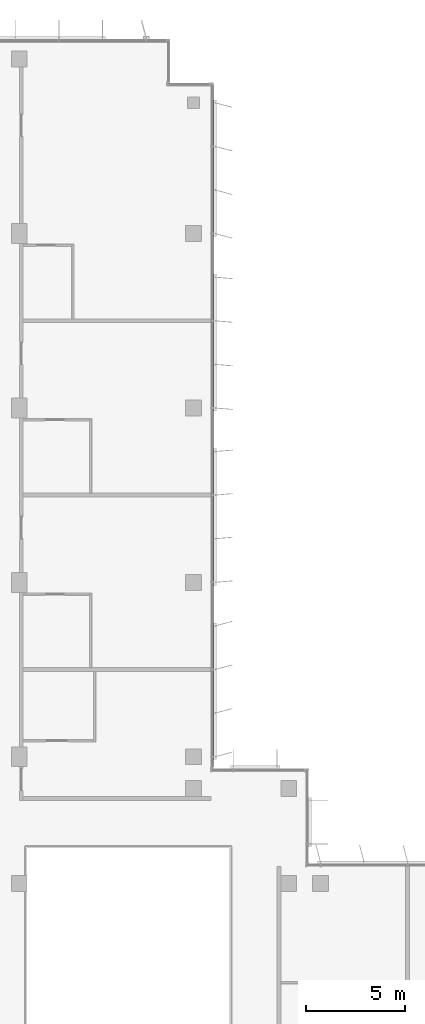
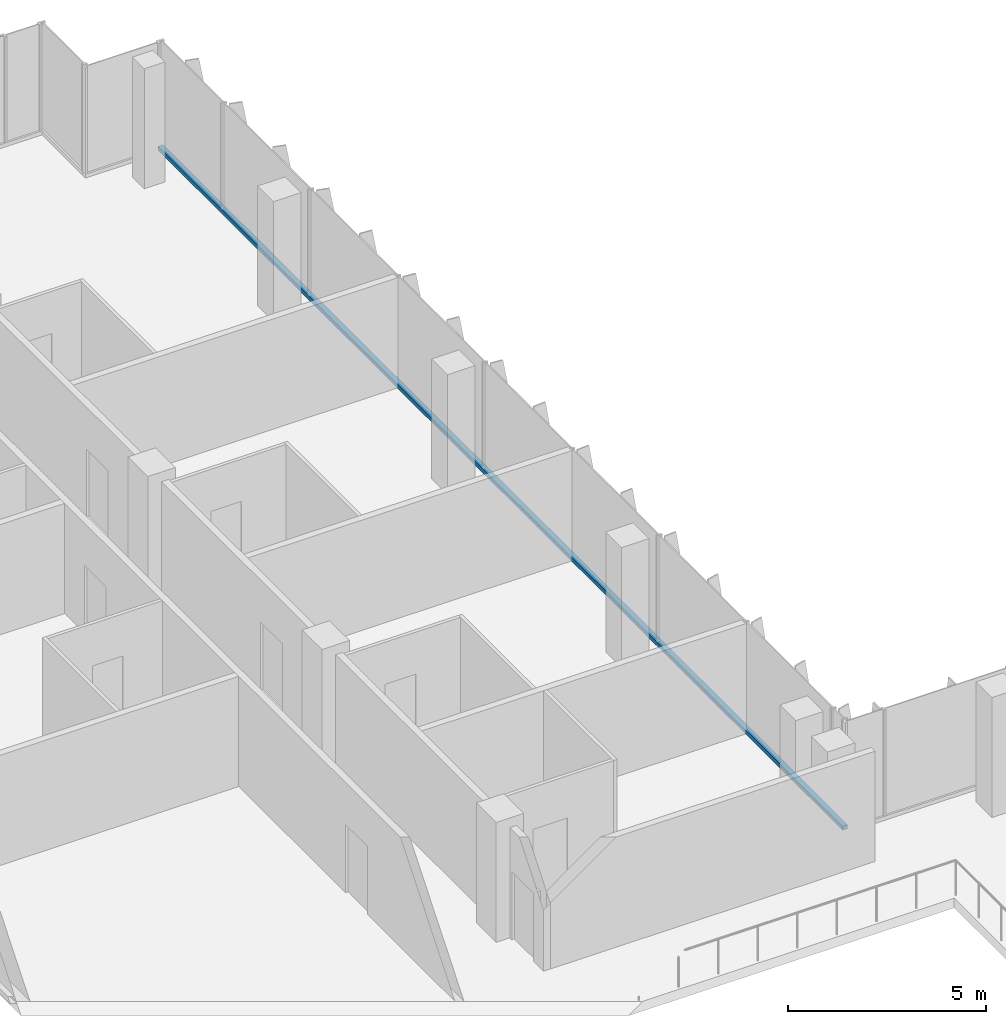
# One storey, part 5 of 15: 1 member, 1 element without a shape of its own.
"""IFC4 building model written with IfcOpenShell, lengths in metres."""

from ifc_helpers import new_model, si_unit, direction, frame, origin, origin_2d, place, context, subcontext, project, spatial, rectangle, extrude, material, material_profile, profile_set, type_object, element, aggregate, save


model = new_model("IFC4")

# Units and contexts
model_context = context("Model", 3, precision=1e-05, world=origin(), true_north=direction((0.0, 1.0)))
body_context = subcontext(model_context, "Body", "Model", "MODEL_VIEW")
ifc_project = project(units=[si_unit("LENGTHUNIT", "METRE"), si_unit("AREAUNIT", "SQUARE_METRE"), si_unit("VOLUMEUNIT", "CUBIC_METRE"), si_unit("PLANEANGLEUNIT", "RADIAN"), si_unit("MASSUNIT", "GRAM", prefix="KILO")], contexts=[model_context])

# Site, building, storey
site_placement = place(None, origin())
site = spatial("IfcSite", under=ifc_project, at=site_placement, CompositionType="ELEMENT")
building_placement = place(site_placement, origin())
building = spatial("IfcBuilding", under=site, at=building_placement, Name="Kemantara Hotel Tower", CompositionType="ELEMENT")
storey_placement = place(building_placement, frame((0.0, 0.0, 294.39990234375)))
storey = spatial("IfcBuildingStorey", under=building, at=storey_placement, Name="L74", CompositionType="ELEMENT", Elevation=294.39990234375)

# Curtain wall, member
ifc_material_1 = material(Name="Low-E tinted double insulated glass 36 mm", Category="glass")
curtain_wall_type = type_object("IfcCurtainWallType", Name="TOWER CURTAIN WALL, FRONT FACES", PredefinedType="USERDEFINED", material=ifc_material_1)
curtain_wall_placement = place(storey_placement, origin())
curtain_wall = element("IfcCurtainWall", 1, at=curtain_wall_placement, inside=storey, type_object=curtain_wall_type, Name="CW4 L74 T4-R15-1", ObjectType="TOWER CURTAIN WALL, FRONT FACES", PredefinedType="USERDEFINED")
ifc_material_2 = material(Name="Aluminium 6063-T6 bronze anodised", Category="aluminium")
ifc_material_profile = material_profile(ifc_material_2, rectangle(XDim=0.14990234375, YDim=0.1201171875, at=origin_2d()), Name="TOWER CURTAIN WALL, FRONT FACES TRANSOM")
ifc_profile_set = profile_set([ifc_material_profile], Name="Aluminium 6063-T6 bronze anodised")
member_type = type_object("IfcMemberType", Name="TOWER CURTAIN WALL, FRONT FACES TRANSOM", PredefinedType="USERDEFINED", material=ifc_profile_set)
member_placement = place(storey_placement, frame((21.925048828125, 26.800048828125, 0.06005859375), z_axis=(0.0, 1.0, 0.0), x_axis=(-1.0, 0.0, 0.0)))
member = element("IfcMember", 2, at=member_placement, type_object=member_type, Name="CW4 sill transom T4-R15-1", ObjectType="TRANSOM", PredefinedType="USERDEFINED", context=body_context, shape_type="SweptSolid", body=[
    extrude(rectangle(XDim=0.14990234375, YDim=0.1201171875, at=origin_2d()), origin(), (0.0, 0.0, 1.0), 34.599853515625),
])
aggregate(curtain_wall, [member])

save(model, "model.ifc")
